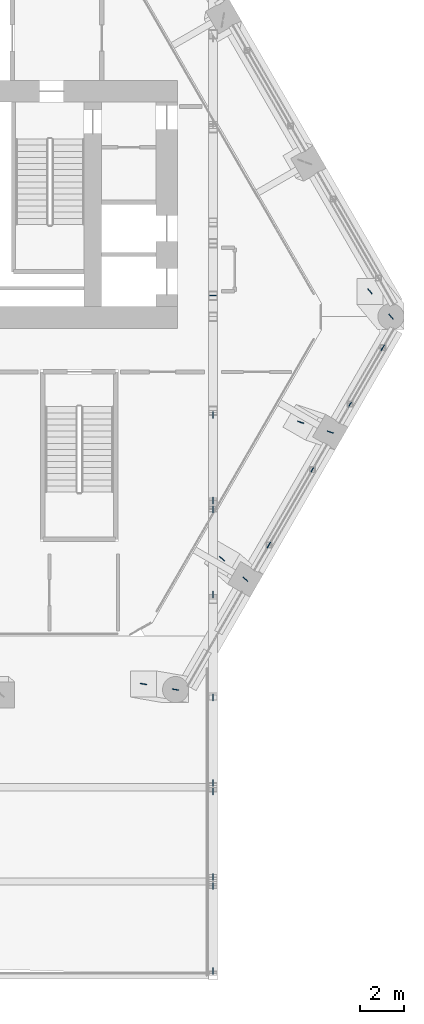
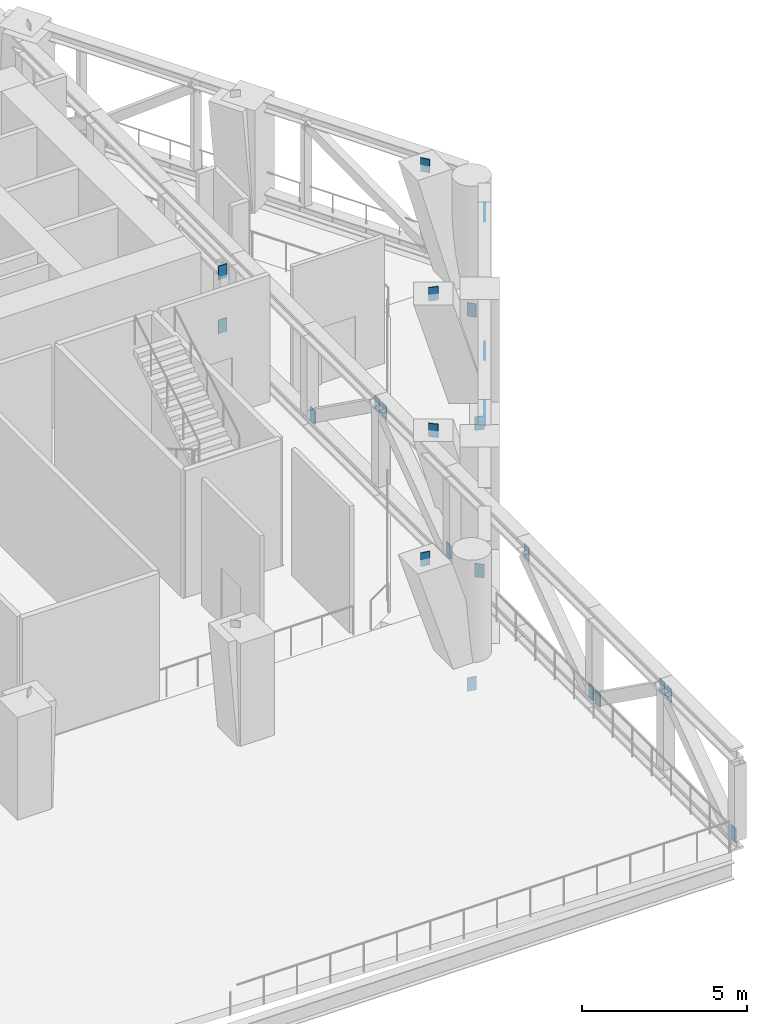
# One storey, part 15 of 22: 24 discrete accessories.
"""IFC4 building model written with IfcOpenShell, lengths in metres."""

from ifc_helpers import new_model, si_unit, direction, frame, origin, origin_2d, place, context, subcontext, project, spatial, rectangle, extrude, material, layer, layer_set, type_object, element, save


model = new_model("IFC4")

# Units and contexts
model_context = context("Model", 3, precision=1e-05, world=origin(), true_north=direction((0.0, 1.0)))
body_context = subcontext(model_context, "Body", "Model", "MODEL_VIEW")
ifc_project = project(units=[si_unit("LENGTHUNIT", "METRE"), si_unit("AREAUNIT", "SQUARE_METRE"), si_unit("VOLUMEUNIT", "CUBIC_METRE"), si_unit("PLANEANGLEUNIT", "RADIAN"), si_unit("MASSUNIT", "GRAM", prefix="KILO")], contexts=[model_context])

# Site, building, storey
site_placement = place(None, origin())
site = spatial("IfcSite", under=ifc_project, at=site_placement, CompositionType="ELEMENT")
building_placement = place(site_placement, origin())
building = spatial("IfcBuilding", under=site, at=building_placement, Name="Ostrander Bayou Hotel Tower", CompositionType="ELEMENT")
storey_placement = place(building_placement, frame((0.0, 0.0, 146.0)))
storey = spatial("IfcBuildingStorey", under=building, at=storey_placement, Name="L36", CompositionType="ELEMENT", Elevation=146.0)

# Discrete accessories
ifc_material = material(Name="Steel ASTM A572 Gr 50", Category="steel")
ifc_layer = layer(ifc_material, 0.030029296875)
ifc_layer_set = layer_set([ifc_layer], Name="GP1 gusset plate 30 mm")
discrete_accessory_type = type_object("IfcDiscreteAccessoryType", Name="GP1 gusset plate 30 mm", PredefinedType="BRACKET", material=ifc_layer_set)
for number, where, z_axis, x_axis, name in (
    (1, (18.191650390625, -8.191162109375, 0.130615234375), (0.0, 0.0, 1.0), (-0.5, -0.866025403784, 0.0), "GP1 gusset plate belt 25"),
    (2, (16.189697265625, -11.65869140625, 3.16943359375), (0.0, 0.0, 1.0), (-0.5, -0.866025403784, 0.0), "GP1 gusset plate belt 26"),
    (3, (19.9287109375, -5.182373046875, 0.130615234375), (0.0, 0.0, 1.0), (0.500030229685, 0.866007949964, 0.0), "GP1 gusset plate belt 27"),
    (4, (21.427978515625, -2.585693359375, 3.16943359375), (0.0, 0.0, 1.0), (0.500030229685, 0.866007949964, 0.0), "GP1 gusset plate belt 28"),
    (5, (13.6201171875, -0.192626953125, 0.247802734375), (0.0, 0.0, 1.0), (1.0, 0.0, 0.0), "GP1 gusset plate bar 145"),
    (6, (13.6201171875, -0.192626953125, 2.25), (0.0, 0.0, 1.0), (1.0, 0.0, 0.0), "GP1 gusset plate bar 146"),
    (7, (13.6201171875, -5.687255859375, 0.247802734375), (0.0, 0.0, 1.0), (0.0, -1.0, 0.0), "GP1 gusset plate bar 147"),
    (8, (13.6201171875, -9.608642578125, 3.05224609375), (0.0, 0.0, 1.0), (0.0, -1.0, 0.0), "GP1 gusset plate bar 148"),
    (9, (13.6201171875, -13.936279296875, 0.247802734375), (0.0, 0.0, 1.0), (0.0, 1.0, 0.0), "GP1 gusset plate bar 149"),
    (10, (13.6201171875, -10.014892578125, 3.05224609375), (0.0, 0.0, 1.0), (0.0, 1.0, 0.0), "GP1 gusset plate bar 150"),
    (11, (13.6201171875, -22.591552734375, 0.247802734375), (0.0, 0.0, 1.0), (0.0, 1.0, 0.0), "GP1 gusset plate bar 151"),
    (12, (13.6201171875, -18.67041015625, 3.05224609375), (0.0, 0.0, 1.0), (0.0, 1.0, 0.0), "GP1 gusset plate bar 152"),
    (13, (13.6201171875, -22.997802734375, 0.247802734375), (0.0, 0.0, 1.0), (0.0, -1.0, 0.0), "GP1 gusset plate bar 153"),
    (14, (13.6201171875, -26.919189453125, 3.05224609375), (0.0, 0.0, 1.0), (0.0, -1.0, 0.0), "GP1 gusset plate bar 154"),
    (15, (13.6201171875, -31.246826171875, 0.247802734375), (0.0, 0.0, 1.0), (0.0, 1.0, 0.0), "GP1 gusset plate bar 155"),
    (16, (13.6201171875, -27.32568359375, 3.05224609375), (0.0, 0.0, 1.0), (0.0, 1.0, 0.0), "GP1 gusset plate bar 156"),
    (17, (11.90234375, -18.302490234375, -1.449951171875), (0.0, 0.0, 1.0), (-0.985330558407, 0.170656645546, 0.0), "GP1 gusset plate belt 91"),
    (18, (10.41845703125, -18.04541015625, 3.550048828125), (0.0, 0.0, 1.0), (-0.985330558407, 0.170656645546, 0.0), "GP1 gusset plate belt 92"),
    (19, (21.801513671875, -1.156494140625, -1.449951171875), (0.0, 0.0, 1.0), (-0.640444865467, 0.768004149921, 0.0), "GP1 gusset plate belt 93"),
    (20, (20.837158203125, 0.0, 3.550048828125), (0.0, 0.0, 1.0), (-0.640444865467, 0.768004149921, 0.0), "GP1 gusset plate belt 94"),
    (21, (15.107421875, -13.2333984375, -1.449951171875), (0.0, 0.0, 1.0), (-0.747206821714, 0.664591578026, 0.0), "GP1 gusset plate belt 113"),
    (22, (14.039306640625, -12.283203125, 3.550048828125), (0.0, 0.0, 1.0), (-0.747206821714, 0.664591578026, 0.0), "GP1 gusset plate belt 114"),
    (23, (19.01416015625, -6.466796875, -1.449951171875), (0.0, 0.0, 1.0), (-0.949156600569, 0.314804300472, 0.0), "GP1 gusset plate belt 115"),
    (24, (17.6572265625, -6.0166015625, 3.550048828125), (0.0, 0.0, 1.0), (-0.949156600569, 0.314804300472, 0.0), "GP1 gusset plate belt 116"),
):
    element("IfcDiscreteAccessory", number, at=place(storey_placement, frame(where, z_axis=z_axis, x_axis=x_axis)), inside=storey, type_object=discrete_accessory_type, Name=name, PredefinedType="BRACKET", context=body_context, shape_type="SweptSolid", body=[
        extrude(rectangle(XDim=0.300048828125, YDim=0.030029296875, at=origin_2d()), origin(), (0.0, 0.0, 1.0), 0.5),
    ])

save(model, "model.ifc")
